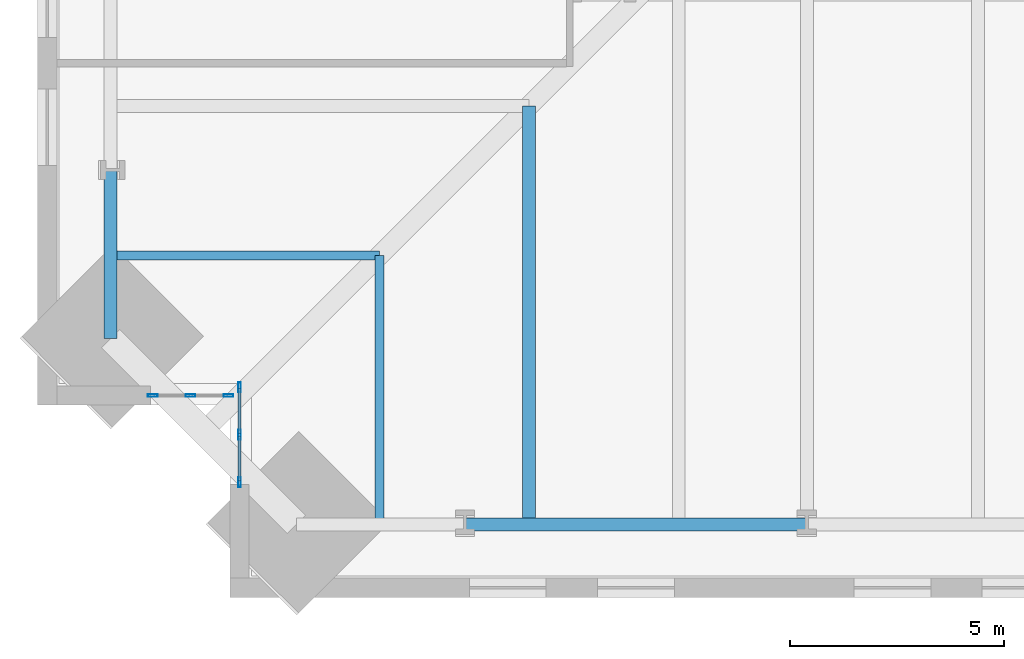
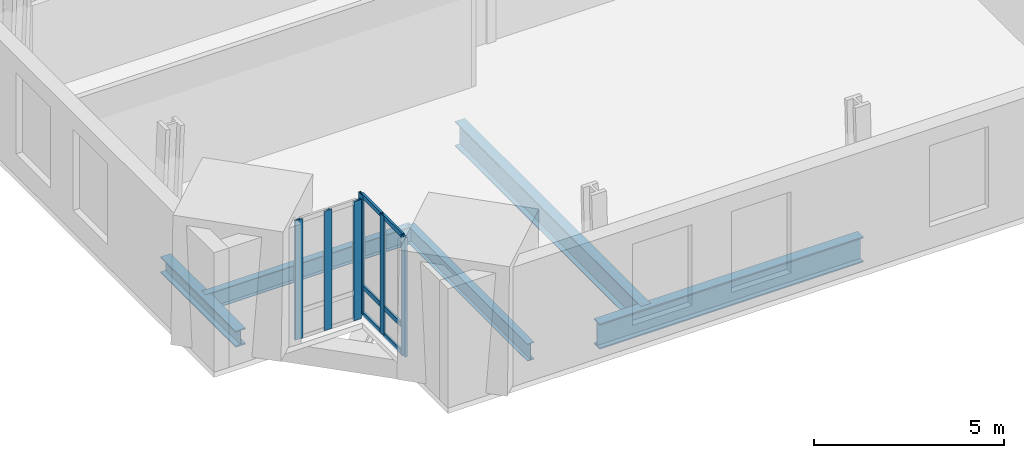
# One storey, part 2 of 18: 12 members, 5 beams, 2 elements without a shape of their own.
"""IFC4 building model written with IfcOpenShell, lengths in metres."""

from ifc_helpers import new_model, si_unit, direction, frame, origin, origin_2d, place, context, subcontext, project, spatial, hollow_rectangle, i_section, extrude, material, material_profile, profile_set, type_object, element, aggregate, save


model = new_model("IFC4")

# Units and contexts
model_context = context("Model", 3, precision=1e-05, world=origin(), true_north=direction((0.0, 1.0)))
body_context = subcontext(model_context, "Body", "Model", "MODEL_VIEW")
ifc_project = project(units=[si_unit("LENGTHUNIT", "METRE"), si_unit("AREAUNIT", "SQUARE_METRE"), si_unit("VOLUMEUNIT", "CUBIC_METRE"), si_unit("PLANEANGLEUNIT", "RADIAN"), si_unit("MASSUNIT", "GRAM", prefix="KILO")], contexts=[model_context])

# Site, building, storey
site_placement = place(None, origin())
site = spatial("IfcSite", under=ifc_project, at=site_placement, CompositionType="ELEMENT")
building_placement = place(site_placement, origin())
building = spatial("IfcBuilding", under=site, at=building_placement, Name="Peilmerk Tower", CompositionType="ELEMENT")
storey_placement = place(building_placement, frame((0.0, 0.0, 163.800048828125)))
storey = spatial("IfcBuildingStorey", under=building, at=storey_placement, Name="L34", CompositionType="ELEMENT", Elevation=163.800048828125)

# Beams
ifc_material_1 = material(Name="Steel S355", Category="steel")
ifc_material_profile_1 = material_profile(ifc_material_1, i_section(OverallWidth=0.2099609375, OverallDepth=0.550048828125, WebThickness=0.010986328125, FlangeThickness=0.01708984375, at=origin_2d()), Name="IPE 550")
ifc_profile_set_1 = profile_set([ifc_material_profile_1], Name="Steel S355")
beam_type_1 = type_object("IfcBeamType", Name="B12 IPE 550 floor beam", PredefinedType="BEAM", material=ifc_profile_set_1)
for number, where, z_axis, x_axis, name in (
    (1, (-18.0, -18.0, -0.445068359375), (0.0, -1.0, 0.0), (1.0, 0.0, 0.0), "Floor beam L34"),
    (2, (-18.0, -18.0, -0.445068359375), (-1.0, 0.0, 0.0), (0.0, -1.0, 0.0), "Floor beam L34"),
):
    element("IfcBeam", number, at=place(storey_placement, frame(where, z_axis=z_axis, x_axis=x_axis)), inside=storey, type_object=beam_type_1, Name=name, PredefinedType="BEAM", context=body_context, shape_type="SweptSolid", body=[
        extrude(i_section(OverallWidth=0.2099609375, OverallDepth=0.550048828125, WebThickness=0.010986328125, FlangeThickness=0.01708984375, at=origin_2d()), origin(), (0.0, 0.0, 1.0), 6.2919921875),
    ])
ifc_material_profile_2 = material_profile(ifc_material_1, i_section(OverallWidth=0.302978515625, OverallDepth=0.81396484375, WebThickness=0.02099609375, FlangeThickness=0.0400390625, at=origin_2d()), Name="HEM 800")
ifc_profile_set_2 = profile_set([ifc_material_profile_2], Name="Steel S355")
beam_type_2 = type_object("IfcBeamType", Name="B15 HEM 800 edge beam", PredefinedType="SPANDREL", material=ifc_profile_set_2)
beam_1_placement = place(storey_placement, frame((-16.0, -24.2919921875, -0.5771484375), z_axis=(1.0, 0.0, 0.0), x_axis=(0.0, 1.0, 0.0)))
element("IfcBeam", 3, at=beam_1_placement, inside=storey, type_object=beam_type_2, Name="Edge beam L34", PredefinedType="SPANDREL", context=body_context, shape_type="SweptSolid", body=[
    extrude(i_section(OverallWidth=0.302978515625, OverallDepth=0.81396484375, WebThickness=0.02099609375, FlangeThickness=0.0400390625, at=origin_2d()), origin(), (0.0, 0.0, 1.0), 8.0),
])
ifc_material_profile_3 = material_profile(ifc_material_1, i_section(OverallWidth=0.300048828125, OverallDepth=0.7900390625, WebThickness=0.014892578125, FlangeThickness=0.028076171875, at=origin_2d()), Name="HEA 800")
ifc_profile_set_3 = profile_set([ifc_material_profile_3], Name="Steel S355")
beam_type_3 = type_object("IfcBeamType", Name="B3 HEA 800 floor beam", PredefinedType="BEAM", material=ifc_profile_set_3)
beam_2_placement = place(storey_placement, frame((-14.5, -14.5, -0.56494140625), z_axis=(0.0, -1.0, 0.0), x_axis=(1.0, 0.0, 0.0)))
element("IfcBeam", 4, at=beam_2_placement, inside=storey, type_object=beam_type_3, Name="Floor beam L34", PredefinedType="BEAM", context=body_context, shape_type="SweptSolid", body=[
    extrude(i_section(OverallWidth=0.300048828125, OverallDepth=0.7900390625, WebThickness=0.014892578125, FlangeThickness=0.028076171875, at=origin_2d()), origin(), (0.0, 0.0, 1.0), 9.7919921875),
])
ifc_material_profile_4 = material_profile(ifc_material_1, i_section(OverallWidth=0.305908203125, OverallDepth=0.52392578125, WebThickness=0.02099609375, FlangeThickness=0.0400390625, at=origin_2d()), Name="HEM 500")
ifc_profile_set_4 = profile_set([ifc_material_profile_4], Name="Steel S355")
beam_type_4 = type_object("IfcBeamType", Name="B33 HEM 500 edge beam", PredefinedType="SPANDREL", material=ifc_profile_set_4)
beam_3_placement = place(storey_placement, frame((-24.2919921875, -16.0, -0.43212890625), z_axis=(0.0, -1.0, 0.0), x_axis=(1.0, 0.0, 0.0)))
element("IfcBeam", 5, at=beam_3_placement, inside=storey, type_object=beam_type_4, Name="Edge beam L34", PredefinedType="SPANDREL", context=body_context, shape_type="SweptSolid", body=[
    extrude(i_section(OverallWidth=0.305908203125, OverallDepth=0.52392578125, WebThickness=0.02099609375, FlangeThickness=0.0400390625, at=origin_2d()), origin(), (0.0, 0.0, 1.0), 3.94189453125),
])

# Curtain wall, members
ifc_material_2 = material(Name="Aluminium stick curtain wall", Category="aluminium")
curtain_wall_type = type_object("IfcCurtainWallType", Name="CW3 stick curtain wall, 2250 module", PredefinedType="NOTDEFINED", material=ifc_material_2)
curtain_wall_1_placement = place(storey_placement, origin())
curtain_wall_1 = element("IfcCurtainWall", 6, at=curtain_wall_1_placement, inside=storey, type_object=curtain_wall_type, Name="Curtain wall CW3 SWA L34", PredefinedType="NOTDEFINED")
ifc_material_3 = material(Name="Aluminium EN AW-6063 T6", Category="aluminium")
ifc_material_profile_5 = material_profile(ifc_material_3, hollow_rectangle(XDim=0.06494140625, YDim=0.22509765625, WallThickness=0.00390625, at=origin_2d()), Name="AL 225x65x4")
ifc_profile_set_5 = profile_set([ifc_material_profile_5], Name="Aluminium EN AW-6063 T6")
member_type_1 = type_object("IfcMemberType", Name="CW3-M AL 225x65x4 mullion", PredefinedType="MULLION", material=ifc_profile_set_5)
member_1_placement = place(storey_placement, frame((-21.27490234375, -21.08251953125, 0.0), z_axis=(0.0, 0.0, 1.0), x_axis=(1.0, 0.0, 0.0)))
member_1 = element("IfcMember", 7, at=member_1_placement, type_object=member_type_1, Name="CW3 mullion 1", PredefinedType="MULLION", context=body_context, shape_type="SweptSolid", body=[
    extrude(hollow_rectangle(XDim=0.06494140625, YDim=0.22509765625, WallThickness=0.00390625, at=origin_2d()), origin(), (0.0, 0.0, 1.0), 3.829833984375),
])
member_2_placement = place(storey_placement, frame((-21.27490234375, -22.1943359375, 0.0), z_axis=(0.0, 0.0, 1.0), x_axis=(1.0, 0.0, 0.0)))
member_2 = element("IfcMember", 8, at=member_2_placement, type_object=member_type_1, Name="CW3 mullion 2", PredefinedType="MULLION", context=body_context, shape_type="SweptSolid", body=[
    extrude(hollow_rectangle(XDim=0.06494140625, YDim=0.22509765625, WallThickness=0.00390625, at=origin_2d()), origin(), (0.0, 0.0, 1.0), 3.829833984375),
])
member_3_placement = place(storey_placement, frame((-21.27490234375, -23.30615234375, 0.0), z_axis=(0.0, 0.0, 1.0), x_axis=(1.0, 0.0, 0.0)))
member_3 = element("IfcMember", 9, at=member_3_placement, type_object=member_type_1, Name="CW3 mullion 3", PredefinedType="MULLION", context=body_context, shape_type="SweptSolid", body=[
    extrude(hollow_rectangle(XDim=0.06494140625, YDim=0.22509765625, WallThickness=0.00390625, at=origin_2d()), origin(), (0.0, 0.0, 1.0), 3.829833984375),
])

curtain_wall_2_placement = place(storey_placement, origin())
curtain_wall_2 = element("IfcCurtainWall", 10, at=curtain_wall_2_placement, inside=storey, type_object=curtain_wall_type, Name="Curtain wall CW3 SWB L34", PredefinedType="NOTDEFINED")
member_4_placement = place(storey_placement, frame((-21.532470703125, -21.27490234375, 0.0), z_axis=(0.0, 0.0, 1.0), x_axis=(0.0, -1.0, 0.0)))
member_4 = element("IfcMember", 11, at=member_4_placement, type_object=member_type_1, Name="CW3 mullion 1", PredefinedType="MULLION", context=body_context, shape_type="SweptSolid", body=[
    extrude(hollow_rectangle(XDim=0.06494140625, YDim=0.22509765625, WallThickness=0.00390625, at=origin_2d()), origin(), (0.0, 0.0, 1.0), 3.829833984375),
])
member_5_placement = place(storey_placement, frame((-22.41943359375, -21.27490234375, 0.0), z_axis=(0.0, 0.0, 1.0), x_axis=(0.0, -1.0, 0.0)))
member_5 = element("IfcMember", 12, at=member_5_placement, type_object=member_type_1, Name="CW3 mullion 2", PredefinedType="MULLION", context=body_context, shape_type="SweptSolid", body=[
    extrude(hollow_rectangle(XDim=0.06494140625, YDim=0.22509765625, WallThickness=0.00390625, at=origin_2d()), origin(), (0.0, 0.0, 1.0), 3.829833984375),
])
member_6_placement = place(storey_placement, frame((-23.30615234375, -21.27490234375, 0.0), z_axis=(0.0, 0.0, 1.0), x_axis=(0.0, -1.0, 0.0)))
member_6 = element("IfcMember", 13, at=member_6_placement, type_object=member_type_1, Name="CW3 mullion 3", PredefinedType="MULLION", context=body_context, shape_type="SweptSolid", body=[
    extrude(hollow_rectangle(XDim=0.06494140625, YDim=0.22509765625, WallThickness=0.00390625, at=origin_2d()), origin(), (0.0, 0.0, 1.0), 3.829833984375),
])
aggregate(curtain_wall_2, [member_4, member_5, member_6])

# Member
ifc_material_profile_6 = material_profile(ifc_material_3, hollow_rectangle(XDim=0.06494140625, YDim=0.14990234375, WallThickness=0.0029296875, at=origin_2d()), Name="AL 150x65x3")
ifc_profile_set_6 = profile_set([ifc_material_profile_6], Name="Aluminium EN AW-6063 T6")
member_type_2 = type_object("IfcMemberType", Name="CW3-T AL 150x65x3 transom", PredefinedType="USERDEFINED", material=ifc_profile_set_6)
member_7_placement = place(storey_placement, frame((-21.27490234375, -21.114990234375, 0.032470703125), z_axis=(0.0, -1.0, 0.0), x_axis=(1.0, 0.0, 0.0)))
member_7 = element("IfcMember", 14, at=member_7_placement, type_object=member_type_2, Name="CW3 transom 1.1", ObjectType="TRANSOM", PredefinedType="USERDEFINED", context=body_context, shape_type="SweptSolid", body=[
    extrude(hollow_rectangle(XDim=0.06494140625, YDim=0.14990234375, WallThickness=0.0029296875, at=origin_2d()), origin(), (0.0, 0.0, 1.0), 1.046875),
])

member_8_placement = place(storey_placement, frame((-21.27490234375, -21.114990234375, 0.89990234375), z_axis=(0.0, -1.0, 0.0), x_axis=(1.0, 0.0, 0.0)))
member_8 = element("IfcMember", 15, at=member_8_placement, type_object=member_type_2, Name="CW3 transom 1.2", ObjectType="TRANSOM", PredefinedType="USERDEFINED", context=body_context, shape_type="SweptSolid", body=[
    extrude(hollow_rectangle(XDim=0.06494140625, YDim=0.14990234375, WallThickness=0.0029296875, at=origin_2d()), origin(), (0.0, 0.0, 1.0), 1.046875),
])

member_9_placement = place(storey_placement, frame((-21.27490234375, -21.114990234375, 3.79736328125), z_axis=(0.0, -1.0, 0.0), x_axis=(1.0, 0.0, 0.0)))
member_9 = element("IfcMember", 16, at=member_9_placement, type_object=member_type_2, Name="CW3 transom 1.3", ObjectType="TRANSOM", PredefinedType="USERDEFINED", context=body_context, shape_type="SweptSolid", body=[
    extrude(hollow_rectangle(XDim=0.06494140625, YDim=0.14990234375, WallThickness=0.0029296875, at=origin_2d()), origin(), (0.0, 0.0, 1.0), 1.046875),
])

member_10_placement = place(storey_placement, frame((-21.27490234375, -22.226806640625, 0.032470703125), z_axis=(0.0, -1.0, 0.0), x_axis=(1.0, 0.0, 0.0)))
member_10 = element("IfcMember", 17, at=member_10_placement, type_object=member_type_2, Name="CW3 transom 2.1", ObjectType="TRANSOM", PredefinedType="USERDEFINED", context=body_context, shape_type="SweptSolid", body=[
    extrude(hollow_rectangle(XDim=0.06494140625, YDim=0.14990234375, WallThickness=0.0029296875, at=origin_2d()), origin(), (0.0, 0.0, 1.0), 1.046875),
])

member_11_placement = place(storey_placement, frame((-21.27490234375, -22.226806640625, 0.89990234375), z_axis=(0.0, -1.0, 0.0), x_axis=(1.0, 0.0, 0.0)))
member_11 = element("IfcMember", 18, at=member_11_placement, type_object=member_type_2, Name="CW3 transom 2.2", ObjectType="TRANSOM", PredefinedType="USERDEFINED", context=body_context, shape_type="SweptSolid", body=[
    extrude(hollow_rectangle(XDim=0.06494140625, YDim=0.14990234375, WallThickness=0.0029296875, at=origin_2d()), origin(), (0.0, 0.0, 1.0), 1.046875),
])

member_12_placement = place(storey_placement, frame((-21.27490234375, -22.226806640625, 3.79736328125), z_axis=(0.0, -1.0, 0.0), x_axis=(1.0, 0.0, 0.0)))
member_12 = element("IfcMember", 19, at=member_12_placement, type_object=member_type_2, Name="CW3 transom 2.3", ObjectType="TRANSOM", PredefinedType="USERDEFINED", context=body_context, shape_type="SweptSolid", body=[
    extrude(hollow_rectangle(XDim=0.06494140625, YDim=0.14990234375, WallThickness=0.0029296875, at=origin_2d()), origin(), (0.0, 0.0, 1.0), 1.046875),
])

aggregate(curtain_wall_1, [member_1, member_2, member_3, member_7, member_8, member_9, member_10, member_11, member_12])

save(model, "model.ifc")
